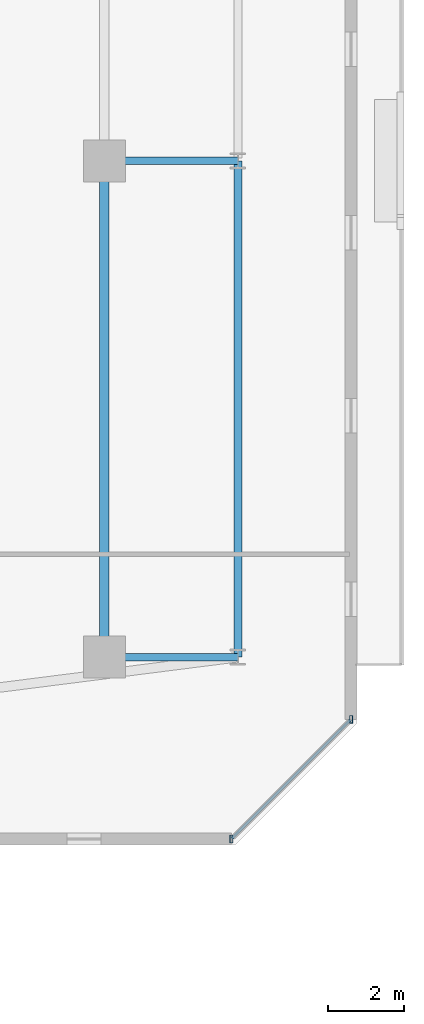
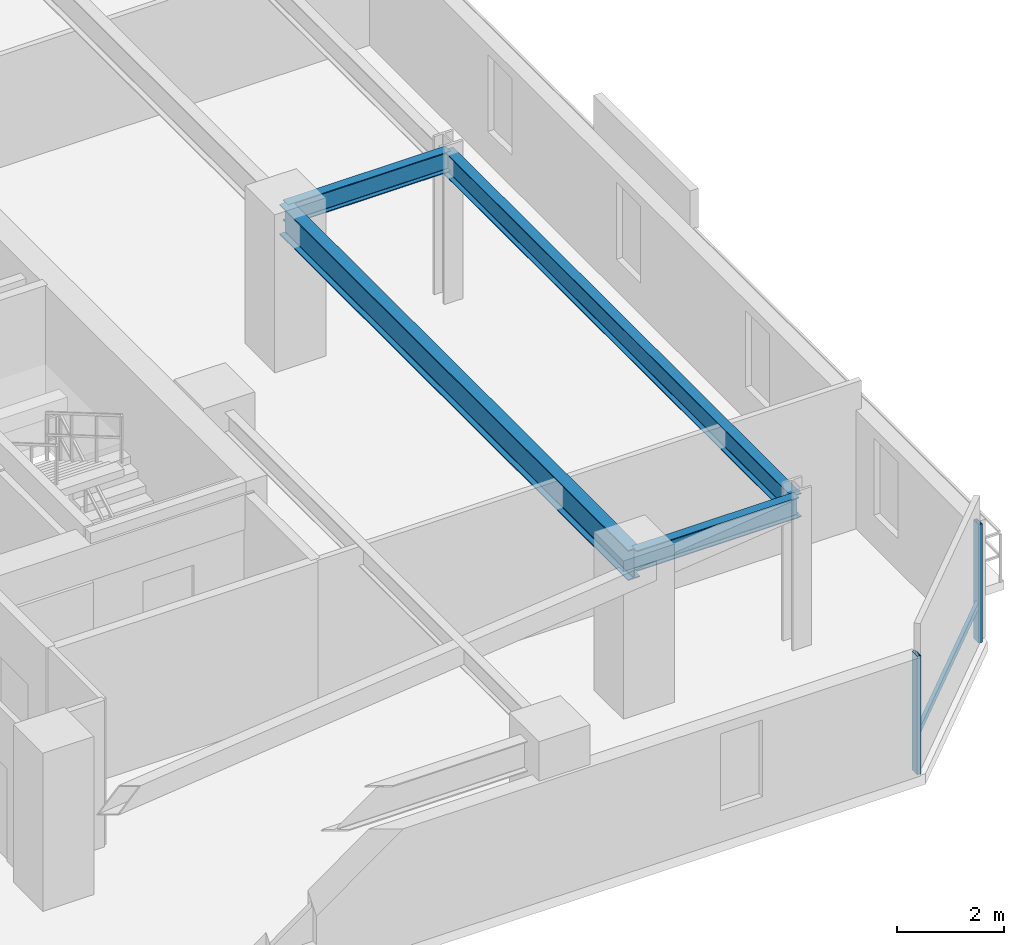
# One storey, part 14 of 33: 4 beams, 3 members, 1 element without a shape of its own.
"""IFC4 building model written with IfcOpenShell, lengths in metres."""

from ifc_helpers import new_model, si_unit, direction, frame, origin, origin_2d, place, context, subcontext, project, spatial, hollow_rectangle, i_section, extrude, material, material_profile, profile_set, type_object, element, aggregate, save


model = new_model("IFC4")

# Units and contexts
model_context = context("Model", 3, precision=1e-05, world=origin(), true_north=direction((0.0, 1.0)))
body_context = subcontext(model_context, "Body", "Model", "MODEL_VIEW")
ifc_project = project(units=[si_unit("LENGTHUNIT", "METRE"), si_unit("AREAUNIT", "SQUARE_METRE"), si_unit("VOLUMEUNIT", "CUBIC_METRE"), si_unit("PLANEANGLEUNIT", "RADIAN"), si_unit("MASSUNIT", "GRAM", prefix="KILO")], contexts=[model_context])

# Site, building, storey
site_placement = place(None, origin())
site = spatial("IfcSite", under=ifc_project, at=site_placement, CompositionType="ELEMENT")
building_placement = place(site_placement, origin())
building = spatial("IfcBuilding", under=site, at=building_placement, Name="Thornwick Lancets Civic Towers", CompositionType="ELEMENT")
storey_placement = place(building_placement, frame((0.0, 0.0, 163.5)))
storey = spatial("IfcBuildingStorey", under=building, at=storey_placement, Name="L43", CompositionType="ELEMENT", Elevation=163.5)

# Beams
ifc_material_1 = material(Name="Steel S355JR", Category="steel")
ifc_material_profile_1 = material_profile(ifc_material_1, i_section(OverallWidth=0.210693359375, OverallDepth=0.53955078125, WebThickness=0.01171875, FlangeThickness=0.018798828125, FilletRadius=0.0126953125, at=origin_2d()), Name="UKB 533x210x109")
ifc_profile_set_1 = profile_set([ifc_material_profile_1], Name="Steel S355JR")
beam_type_1 = type_object("IfcBeamType", Name="BM_EDGE_533_109", PredefinedType="SPANDREL", material=ifc_profile_set_1)
beam_1_placement = place(storey_placement, frame((109.300048828125, 14.0, 3.09033203125), z_axis=(0.0, 1.0, 0.0), x_axis=(-1.0, 0.0, 0.0)))
element("IfcBeam", 1, at=beam_1_placement, inside=storey, type_object=beam_type_1, Name="BM-EDGE-L43-B-S0-1", PredefinedType="SPANDREL", context=body_context, shape_type="SweptSolid", body=[
    extrude(i_section(OverallWidth=0.210693359375, OverallDepth=0.53955078125, WebThickness=0.01171875, FlangeThickness=0.018798828125, FilletRadius=0.0126953125, at=origin_2d()), origin(), (0.0, 0.0, 1.0), 13.0),
])
ifc_material_profile_2 = material_profile(ifc_material_1, i_section(OverallWidth=0.255859375, OverallDepth=0.69287109375, WebThickness=0.014404296875, FlangeThickness=0.023681640625, FilletRadius=0.01513671875, at=origin_2d()), Name="UKB 686x254x170")
ifc_profile_set_2 = profile_set([ifc_material_profile_2], Name="Steel S355JR")
beam_type_2 = type_object("IfcBeamType", Name="BM_GIRD_686_170", PredefinedType="BEAM", material=ifc_profile_set_2)
beam_2_placement = place(storey_placement, frame((105.800048828125, 14.0, 3.013671875), z_axis=(0.0, 1.0, 0.0), x_axis=(-1.0, 0.0, 0.0)))
element("IfcBeam", 2, at=beam_2_placement, inside=storey, type_object=beam_type_2, Name="BM-SPINE-L43-B-0-1", PredefinedType="BEAM", context=body_context, shape_type="SweptSolid", body=[
    extrude(i_section(OverallWidth=0.255859375, OverallDepth=0.69287109375, WebThickness=0.014404296875, FlangeThickness=0.023681640625, FilletRadius=0.01513671875, at=origin_2d()), origin(), (0.0, 0.0, 1.0), 13.0),
])
ifc_material_profile_3 = material_profile(ifc_material_1, i_section(OverallWidth=0.19287109375, OverallDepth=0.46728515625, WebThickness=0.011474609375, FlangeThickness=0.01953125, FilletRadius=0.01025390625, at=origin_2d()), Name="UKB 457x191x98")
ifc_profile_set_3 = profile_set([ifc_material_profile_3], Name="Steel S355JR")
beam_type_3 = type_object("IfcBeamType", Name="BM_JOIST_457_98", PredefinedType="JOIST", material=ifc_profile_set_3)
for number, where, z_axis, x_axis, name in (
    (3, (105.800048828125, 14.0, 3.12646484375), (1.0, 0.0, 0.0), (0.0, 1.0, 0.0), "BM-RAD-L43-B01"),
    (4, (105.800048828125, 27.0, 3.12646484375), (1.0, 0.0, 0.0), (0.0, 1.0, 0.0), "BM-RAD-L43-B02"),
):
    element("IfcBeam", number, at=place(storey_placement, frame(where, z_axis=z_axis, x_axis=x_axis)), inside=storey, type_object=beam_type_3, Name=name, PredefinedType="JOIST", context=body_context, shape_type="SweptSolid", body=[
        extrude(i_section(OverallWidth=0.19287109375, OverallDepth=0.46728515625, WebThickness=0.011474609375, FlangeThickness=0.01953125, FilletRadius=0.01025390625, at=origin_2d()), origin(), (0.0, 0.0, 1.0), 3.5),
    ])

# Curtain wall, members
ifc_material_2 = material(Name="Mid-zone chamfered-corner unitised glass curtain wall", Category="glass")
curtain_wall_type = type_object("IfcCurtainWallType", Name="CW_SYS_04", PredefinedType="NOTDEFINED", material=ifc_material_2)
curtain_wall_placement = place(storey_placement, origin())
curtain_wall = element("IfcCurtainWall", 5, at=curtain_wall_placement, inside=storey, type_object=curtain_wall_type, Name="L43 Curtain Wall CW-L43-B-E1", PredefinedType="NOTDEFINED")
ifc_material_3 = material(Name="Thermally broken bronze aluminium S355", Category="steel")
ifc_material_profile_4 = material_profile(ifc_material_3, hollow_rectangle(XDim=0.080078125, YDim=0.199951171875, WallThickness=0.006103515625, at=origin_2d()), Name="RHS 200x80x6")
ifc_profile_set_4 = profile_set([ifc_material_profile_4], Name="Thermally broken bronze aluminium S355")
member_type_1 = type_object("IfcMemberType", Name="CW_MUL_200", PredefinedType="MULLION", material=ifc_profile_set_4)
member_1_placement = place(storey_placement, frame((109.12939453125, 9.2373046875, 0.0), z_axis=(0.0, 0.0, 1.0), x_axis=(1.0, 0.0, 0.0)))
member_1 = element("IfcMember", 6, at=member_1_placement, type_object=member_type_1, Name="CW-L43-B-E1 Mullion 0", PredefinedType="MULLION", context=body_context, shape_type="SweptSolid", body=[
    extrude(hollow_rectangle(XDim=0.080078125, YDim=0.199951171875, WallThickness=0.006103515625, at=origin_2d()), origin(), (0.0, 0.0, 1.0), 2.699951171875),
])
member_2_placement = place(storey_placement, frame((112.2626953125, 12.37060546875, 0.0), z_axis=(0.0, 0.0, 1.0), x_axis=(1.0, 0.0, 0.0)))
member_2 = element("IfcMember", 7, at=member_2_placement, type_object=member_type_1, Name="CW-L43-B-E1 Mullion 1", PredefinedType="MULLION", context=body_context, shape_type="SweptSolid", body=[
    extrude(hollow_rectangle(XDim=0.080078125, YDim=0.199951171875, WallThickness=0.006103515625, at=origin_2d()), origin(), (0.0, 0.0, 1.0), 2.699951171875),
])
ifc_material_profile_5 = material_profile(ifc_material_3, hollow_rectangle(XDim=0.074951171875, YDim=0.14990234375, WallThickness=0.0048828125, at=origin_2d()), Name="RHS 150x75x5")
ifc_profile_set_5 = profile_set([ifc_material_profile_5], Name="Thermally broken bronze aluminium S355")
member_type_2 = type_object("IfcMemberType", Name="CW_TRN_150", PredefinedType="USERDEFINED", material=ifc_profile_set_5)
member_3_placement = place(storey_placement, frame((109.1435546875, 9.251220703125, 0.85009765625), z_axis=(0.707106781187, 0.707106781187, 0.0), x_axis=(-0.707106781187, 0.707106781187, 0.0)))
member_3 = element("IfcMember", 8, at=member_3_placement, type_object=member_type_2, Name="CW-L43-B-E1 Transom 0", ObjectType="TRANSOM", PredefinedType="USERDEFINED", context=body_context, shape_type="SweptSolid", body=[
    extrude(hollow_rectangle(XDim=0.074951171875, YDim=0.14990234375, WallThickness=0.0048828125, at=origin_2d()), origin(), (0.0, 0.0, 1.0), 4.391357421875),
])
aggregate(curtain_wall, [member_1, member_2, member_3])

save(model, "model.ifc")
